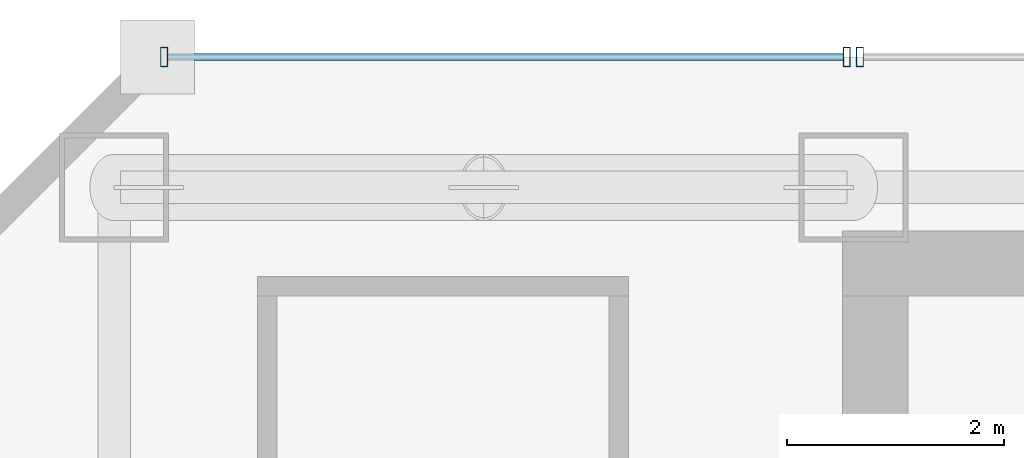
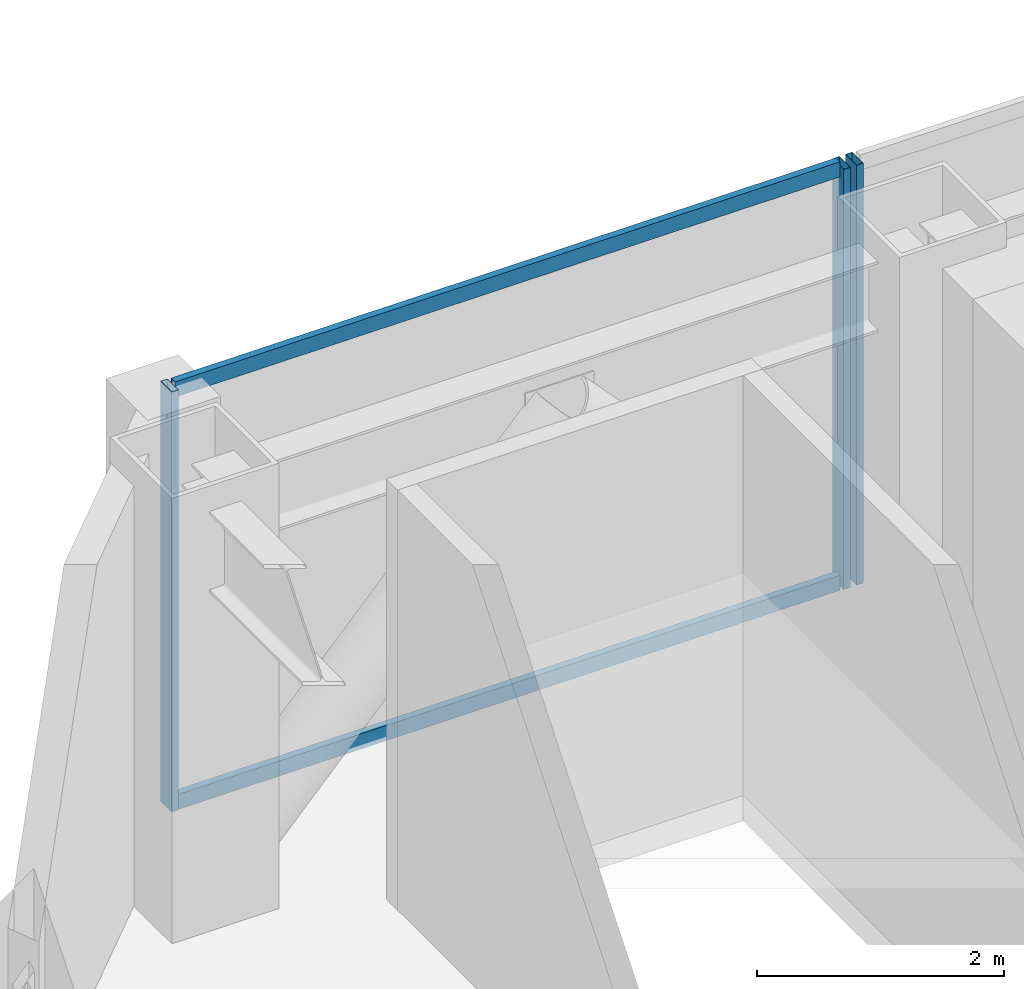
# One storey, part 23 of 37: 5 members, 2 elements without a shape of their own.
"""IFC4 building model written with IfcOpenShell, lengths in metres."""

from ifc_helpers import new_model, si_unit, direction, frame, origin, origin_2d, place, context, subcontext, project, spatial, hollow_rectangle, extrude, material, material_profile, profile_set, type_object, element, aggregate, save


model = new_model("IFC4")

# Units and contexts
model_context = context("Model", 3, precision=1e-05, world=origin(), true_north=direction((0.0, 1.0)))
body_context = subcontext(model_context, "Body", "Model", "MODEL_VIEW")
ifc_project = project(units=[si_unit("LENGTHUNIT", "METRE"), si_unit("AREAUNIT", "SQUARE_METRE"), si_unit("VOLUMEUNIT", "CUBIC_METRE"), si_unit("PLANEANGLEUNIT", "RADIAN"), si_unit("MASSUNIT", "GRAM", prefix="KILO")], contexts=[model_context])

# Site, building, storey
site_placement = place(None, origin())
site = spatial("IfcSite", under=ifc_project, at=site_placement, CompositionType="ELEMENT")
building_placement = place(site_placement, origin())
building = spatial("IfcBuilding", under=site, at=building_placement, Name="Saevonmaru Cultural Tower", CompositionType="ELEMENT")
storey_placement = place(building_placement, frame((0.0, 0.0, 110.39990234375)))
storey = spatial("IfcBuildingStorey", under=building, at=storey_placement, Name="L23", CompositionType="ELEMENT", Elevation=110.39990234375)

# Curtain wall, member
ifc_material = material(Name="Satin Bronze Anodised Aluminium", Category="aluminium")
curtain_wall_type = type_object("IfcCurtainWallType", Name="CW-TYP-A", PredefinedType="NOTDEFINED", material=ifc_material)
curtain_wall_1_placement = place(storey_placement, origin())
curtain_wall_1 = element("IfcCurtainWall", 1, at=curtain_wall_1_placement, inside=storey, type_object=curtain_wall_type, Name="L23 North Spine Unitised Curtain Wall E10B", PredefinedType="NOTDEFINED")
ifc_material_profile_1 = material_profile(ifc_material, hollow_rectangle(XDim=0.06494140625, YDim=0.179931640625, WallThickness=0.00390625, at=origin_2d()), Name="ALU-MULL-180x65x4")
ifc_profile_set_1 = profile_set([ifc_material_profile_1], Name="Satin Bronze Anodised Aluminium")
member_type_1 = type_object("IfcMemberType", Name="ML-CW-180x65", PredefinedType="MULLION", material=ifc_profile_set_1)
member_1_placement = place(storey_placement, frame((13.659912109375, 56.0, 0.0), z_axis=(0.0, 0.0, 1.0), x_axis=(-1.0, 0.0, 0.0)))
member_1 = element("IfcMember", 2, at=member_1_placement, type_object=member_type_1, Name="CW-TW-L23-E10B mullion 4", PredefinedType="MULLION", context=body_context, shape_type="SweptSolid", body=[
    extrude(hollow_rectangle(XDim=0.06494140625, YDim=0.179931640625, WallThickness=0.00390625, at=origin_2d()), origin(), (0.0, 0.0, 1.0), 4.150146484375),
])
aggregate(curtain_wall_1, [member_1])

# Curtain wall, members
curtain_wall_2_placement = place(storey_placement, origin())
curtain_wall_2 = element("IfcCurtainWall", 3, at=curtain_wall_2_placement, inside=storey, type_object=curtain_wall_type, Name="L23 West Braced Bay Spandrel Curtain Wall E10C", PredefinedType="NOTDEFINED")
member_2_placement = place(storey_placement, frame((13.5400390625, 56.0, 0.0), z_axis=(0.0, 0.0, 1.0), x_axis=(-1.0, 0.0, 0.0)))
member_2 = element("IfcMember", 4, at=member_2_placement, type_object=member_type_1, Name="CW-TW-L23-E10C mullion 1", PredefinedType="MULLION", context=body_context, shape_type="SweptSolid", body=[
    extrude(hollow_rectangle(XDim=0.06494140625, YDim=0.179931640625, WallThickness=0.00390625, at=origin_2d()), origin(), (0.0, 0.0, 1.0), 4.150146484375),
])
member_3_placement = place(storey_placement, frame((7.260009765625, 56.0, 0.0), z_axis=(0.0, 0.0, 1.0), x_axis=(-1.0, 0.0, 0.0)))
member_3 = element("IfcMember", 5, at=member_3_placement, type_object=member_type_1, Name="CW-TW-L23-E10C mullion 2", PredefinedType="MULLION", context=body_context, shape_type="SweptSolid", body=[
    extrude(hollow_rectangle(XDim=0.06494140625, YDim=0.179931640625, WallThickness=0.00390625, at=origin_2d()), origin(), (0.0, 0.0, 1.0), 4.150146484375),
])
ifc_material_profile_2 = material_profile(ifc_material, hollow_rectangle(XDim=0.06494140625, YDim=0.14990234375, WallThickness=0.00390625, at=origin_2d()), Name="ALU-TRAN-150x65x4")
ifc_profile_set_2 = profile_set([ifc_material_profile_2], Name="Satin Bronze Anodised Aluminium")
member_type_2 = type_object("IfcMemberType", Name="TR-CW-150x65", PredefinedType="USERDEFINED", material=ifc_profile_set_2)
member_4_placement = place(storey_placement, frame((13.507568359375, 56.0, 0.03271484375), z_axis=(-1.0, 0.0, 0.0), x_axis=(0.0, -1.0, 0.0)))
member_4 = element("IfcMember", 6, at=member_4_placement, type_object=member_type_2, Name="CW-TW-L23-E10C transom 1.1", ObjectType="TRANSOM", PredefinedType="USERDEFINED", context=body_context, shape_type="SweptSolid", body=[
    extrude(hollow_rectangle(XDim=0.06494140625, YDim=0.14990234375, WallThickness=0.00390625, at=origin_2d()), origin(), (0.0, 0.0, 1.0), 6.215087890625),
])
member_5_placement = place(storey_placement, frame((13.507568359375, 56.0, 4.11767578125), z_axis=(-1.0, 0.0, 0.0), x_axis=(0.0, -1.0, 0.0)))
member_5 = element("IfcMember", 7, at=member_5_placement, type_object=member_type_2, Name="CW-TW-L23-E10C transom 1.2", ObjectType="TRANSOM", PredefinedType="USERDEFINED", context=body_context, shape_type="SweptSolid", body=[
    extrude(hollow_rectangle(XDim=0.06494140625, YDim=0.14990234375, WallThickness=0.00390625, at=origin_2d()), origin(), (0.0, 0.0, 1.0), 6.215087890625),
])
aggregate(curtain_wall_2, [member_2, member_3, member_4, member_5])

save(model, "model.ifc")
